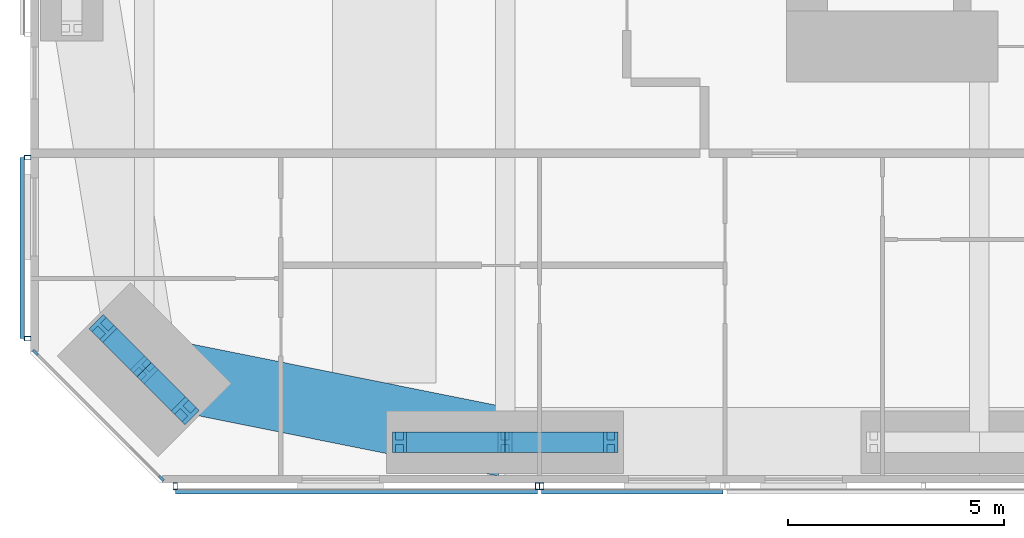
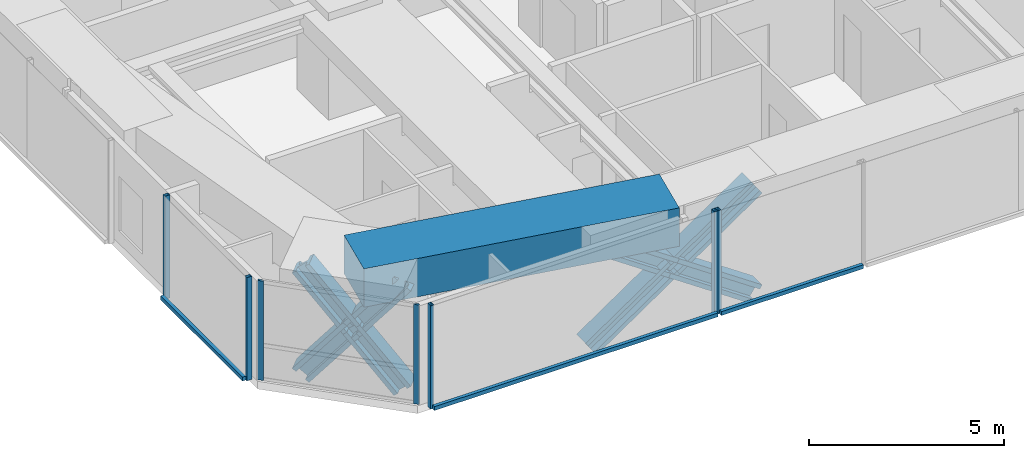
# One storey, part 2 of 24: 18 members, 1 beam, 4 elements without a shape of their own.
"""IFC4 building model written with IfcOpenShell, lengths in metres."""

from ifc_helpers import new_model, si_unit, direction, frame, origin, origin_2d, place, context, subcontext, project, spatial, rectangle, hollow_rectangle, i_section, extrude, material, material_profile, profile_set, type_object, element, aggregate, save


model = new_model("IFC4")

# Units and contexts
model_context = context("Model", 3, precision=1e-05, world=origin(), true_north=direction((0.0, 1.0)))
body_context = subcontext(model_context, "Body", "Model", "MODEL_VIEW")
ifc_project = project(units=[si_unit("LENGTHUNIT", "METRE"), si_unit("AREAUNIT", "SQUARE_METRE"), si_unit("VOLUMEUNIT", "CUBIC_METRE"), si_unit("PLANEANGLEUNIT", "RADIAN"), si_unit("MASSUNIT", "GRAM", prefix="KILO")], contexts=[model_context])

# Site, building, storey
site_placement = place(None, origin())
site = spatial("IfcSite", under=ifc_project, at=site_placement, CompositionType="ELEMENT")
building_placement = place(site_placement, origin())
building = spatial("IfcBuilding", under=site, at=building_placement, Name="Jalousie Tower", CompositionType="ELEMENT")
storey_placement = place(building_placement, frame((0.0, 0.0, 51.14990234375)))
storey = spatial("IfcBuildingStorey", under=building, at=storey_placement, Name="L13", CompositionType="ELEMENT", Elevation=51.14990234375)

# Curtain wall, members
ifc_material_1 = material(Name="Aluminium curtain wall", Category="aluminium")
curtain_wall_type_1 = type_object("IfcCurtainWallType", Name="CORNER WINDOW WALL", PredefinedType="USERDEFINED", material=ifc_material_1)
curtain_wall_1_placement = place(storey_placement, origin())
curtain_wall_1 = element("IfcCurtainWall", 1, at=curtain_wall_1_placement, inside=storey, type_object=curtain_wall_type_1, Name="Corner Window Wall L13 8", ObjectType="CORNER WINDOW WALL", PredefinedType="USERDEFINED")
ifc_material_2 = material(Name="Aluminium mullion", Category="aluminium")
ifc_material_profile_1 = material_profile(ifc_material_2, rectangle(XDim=0.06005859375, YDim=0.14990234375, at=origin_2d()), Name="MULLION 60x150")
ifc_profile_set_1 = profile_set([ifc_material_profile_1], Name="Aluminium mullion")
member_type_1 = type_object("IfcMemberType", Name="CORNER WINDOW WALL MULLION", PredefinedType="MULLION", material=ifc_profile_set_1)
member_1_placement = place(storey_placement, frame((2.108642578125, 3.030029296875, 0.0), z_axis=(0.0, 0.0, 1.0), x_axis=(0.707106781187, 0.707106781187, 0.0)))
member_1 = element("IfcMember", 2, at=member_1_placement, type_object=member_type_1, Name="CW-C mullion 1", PredefinedType="MULLION", context=body_context, shape_type="SweptSolid", body=[
    extrude(rectangle(XDim=0.06005859375, YDim=0.14990234375, at=origin_2d()), origin(), (0.0, 0.0, 1.0), 3.110107421875),
])
member_2_placement = place(storey_placement, frame((5.030029296875, 0.108642578125, 0.0), z_axis=(0.0, 0.0, 1.0), x_axis=(0.707106781187, 0.707106781187, 0.0)))
member_2 = element("IfcMember", 3, at=member_2_placement, type_object=member_type_1, Name="CW-C mullion 2", PredefinedType="MULLION", context=body_context, shape_type="SweptSolid", body=[
    extrude(rectangle(XDim=0.06005859375, YDim=0.14990234375, at=origin_2d()), origin(), (0.0, 0.0, 1.0), 3.110107421875),
])
aggregate(curtain_wall_1, [member_1, member_2])

# Members
ifc_material_3 = material(Name="Steel ASTM A992 Grade 50", Category="steel")
ifc_material_profile_2 = material_profile(ifc_material_3, i_section(OverallWidth=0.472412109375, OverallDepth=0.5791015625, WebThickness=0.094970703125, FlangeThickness=0.1298828125, at=origin_2d()), Name="W14X808")
ifc_profile_set_2 = profile_set([ifc_material_profile_2], Name="Steel ASTM A992 Grade 50")
member_type_2 = type_object("IfcMemberType", Name="PERIMETER BRACE W14X808", PredefinedType="BRACE", material=ifc_profile_set_2)
member_3_placement = place(storey_placement, frame((3.6767578125, 3.5859375, -0.599853515625), z_axis=(0.443718327034, -0.443718327034, 0.778606506849), x_axis=(0.707106781187, 0.707106781187, 0.0)))
element("IfcMember", 4, at=member_3_placement, inside=storey, type_object=member_type_2, Name="Perimeter brace 01 L13 part 1", PredefinedType="BRACE", context=body_context, shape_type="SweptSolid", body=[
    extrude(i_section(OverallWidth=0.472412109375, OverallDepth=0.5791015625, WebThickness=0.094970703125, FlangeThickness=0.1298828125, at=origin_2d()), origin(), (0.0, 0.0, 1.0), 2.1513671875),
])
member_4_placement = place(storey_placement, frame((4.63134765625, 2.63134765625, 1.0751953125), z_axis=(0.443757535686, -0.443757535686, 0.778561814529), x_axis=(0.707106781187, 0.707106781187, 0.0)))
element("IfcMember", 5, at=member_4_placement, inside=storey, type_object=member_type_2, Name="Perimeter brace 01 L13 part 2", PredefinedType="BRACE", context=body_context, shape_type="SweptSolid", body=[
    extrude(i_section(OverallWidth=0.472412109375, OverallDepth=0.5791015625, WebThickness=0.094970703125, FlangeThickness=0.1298828125, at=origin_2d()), origin(), (0.0, 0.0, 1.0), 2.151123046875),
])
member_5_placement = place(storey_placement, frame((5.5859375, 1.6767578125, -0.599853515625), z_axis=(-0.443718327034, 0.443718327034, 0.778606506849), x_axis=(-0.707106781187, -0.707106781187, 0.0)))
element("IfcMember", 6, at=member_5_placement, inside=storey, type_object=member_type_2, Name="Perimeter brace 01 L13 part 3", PredefinedType="BRACE", context=body_context, shape_type="SweptSolid", body=[
    extrude(i_section(OverallWidth=0.472412109375, OverallDepth=0.5791015625, WebThickness=0.094970703125, FlangeThickness=0.1298828125, at=origin_2d()), origin(), (0.0, 0.0, 1.0), 2.1513671875),
])
member_6_placement = place(storey_placement, frame((4.63134765625, 2.63134765625, 1.0751953125), z_axis=(-0.443757535686, 0.443757535686, 0.778561814529), x_axis=(-0.707106781187, -0.707106781187, 0.0)))
element("IfcMember", 7, at=member_6_placement, inside=storey, type_object=member_type_2, Name="Perimeter brace 01 L13 part 4", PredefinedType="BRACE", context=body_context, shape_type="SweptSolid", body=[
    extrude(i_section(OverallWidth=0.472412109375, OverallDepth=0.5791015625, WebThickness=0.094970703125, FlangeThickness=0.1298828125, at=origin_2d()), origin(), (0.0, 0.0, 1.0), 2.151123046875),
])
for number, where, z_axis, x_axis, name in (
    (8, (10.550048828125, 0.949951171875, -0.599853515625), (0.825500916831, 0.0, 0.564400776321), (0.0, 1.0, 0.0), "Perimeter brace 02 L13 part 1"),
    (9, (13.0, 0.949951171875, 1.0751953125), (0.825539243753, 0.0, 0.564344714713), (0.0, 1.0, 0.0), "Perimeter brace 02 L13 part 2"),
    (10, (15.449951171875, 0.949951171875, -0.599853515625), (-0.825500916831, 0.0, 0.564400776321), (0.0, -1.0, 0.0), "Perimeter brace 02 L13 part 3"),
    (11, (13.0, 0.949951171875, 1.0751953125), (-0.825539243753, 0.0, 0.564344714713), (0.0, -1.0, 0.0), "Perimeter brace 02 L13 part 4"),
):
    element("IfcMember", number, at=place(storey_placement, frame(where, z_axis=z_axis, x_axis=x_axis)), inside=storey, type_object=member_type_2, Name=name, PredefinedType="BRACE", context=body_context, shape_type="SweptSolid", body=[
        extrude(i_section(OverallWidth=0.472412109375, OverallDepth=0.5791015625, WebThickness=0.094970703125, FlangeThickness=0.1298828125, at=origin_2d()), origin(), (0.0, 0.0, 1.0), 2.9677734375),
    ])

# Beam
ifc_material_4 = material(Name="Concrete f'c 40 MPa", Category="concrete")
ifc_material_profile_3 = material_profile(ifc_material_4, rectangle(XDim=1.60009765625, YDim=1.199951171875, at=origin_2d()), Name="RC 1600x1200")
ifc_profile_set_3 = profile_set([ifc_material_profile_3], Name="Concrete f'c 40 MPa")
beam_type = type_object("IfcBeamType", Name="RC BEAM 1600x1200", PredefinedType="BEAM", material=ifc_profile_set_3)
beam_placement = place(storey_placement, frame((4.63134765625, 2.63134765625, 2.75), z_axis=(0.980407585444, -0.196979609107, 0.0), x_axis=(0.196979609107, 0.980407585444, 0.0)))
element("IfcBeam", 12, at=beam_placement, inside=storey, type_object=beam_type, Name="Edge band beam 01-02 under L14", PredefinedType="BEAM", context=body_context, shape_type="SweptSolid", body=[
    extrude(rectangle(XDim=1.60009765625, YDim=1.199951171875, at=origin_2d()), origin(), (0.0, 0.0, 1.0), 8.535888671875),
])

# Curtain wall, members
ifc_material_5 = material(Name="Perforated aluminium sheet", Category="aluminium")
curtain_wall_type_2 = type_object("IfcCurtainWallType", Name="SOLAR SCREEN SS-1", PredefinedType="USERDEFINED", material=ifc_material_5)
curtain_wall_2_placement = place(storey_placement, origin())
curtain_wall_2 = element("IfcCurtainWall", 13, at=curtain_wall_2_placement, inside=storey, type_object=curtain_wall_type_2, Name="Solar screen L13", ObjectType="SOLAR SCREEN SS-1", PredefinedType="USERDEFINED")
ifc_material_6 = material(Name="Steel ASTM A500 Grade C", Category="steel")
ifc_material_profile_4 = material_profile(ifc_material_6, hollow_rectangle(XDim=0.1015625, YDim=0.15234375, WallThickness=0.00634765625, at=origin_2d()), Name="HSS6X4X1/4")
ifc_profile_set_4 = profile_set([ifc_material_profile_4], Name="Steel ASTM A500 Grade C")
member_type_3 = type_object("IfcMemberType", Name="SOLAR SCREEN SS-1 MULLION", PredefinedType="MULLION", material=ifc_profile_set_4)
member_7_placement = place(storey_placement, frame((5.351318359375, -0.0712890625, -0.119873046875), z_axis=(0.0, 0.0, 1.0), x_axis=(1.0, 0.0, 0.0)))
member_7 = element("IfcMember", 14, at=member_7_placement, type_object=member_type_3, Name="SS1 post 1", PredefinedType="MULLION", context=body_context, shape_type="SweptSolid", body=[
    extrude(hollow_rectangle(XDim=0.1015625, YDim=0.15234375, WallThickness=0.00634765625, at=origin_2d()), origin(), (0.0, 0.0, 1.0), 3.22998046875),
])
member_8_placement = place(storey_placement, frame((13.75, -0.0712890625, -0.119873046875), z_axis=(0.0, 0.0, 1.0), x_axis=(1.0, 0.0, 0.0)))
member_8 = element("IfcMember", 15, at=member_8_placement, type_object=member_type_3, Name="SS1 post 2", PredefinedType="MULLION", context=body_context, shape_type="SweptSolid", body=[
    extrude(hollow_rectangle(XDim=0.1015625, YDim=0.15234375, WallThickness=0.00634765625, at=origin_2d()), origin(), (0.0, 0.0, 1.0), 3.22998046875),
])

# Curtain wall, member
curtain_wall_3_placement = place(storey_placement, origin())
curtain_wall_3 = element("IfcCurtainWall", 16, at=curtain_wall_3_placement, inside=storey, type_object=curtain_wall_type_2, Name="Solar screen L13", ObjectType="SOLAR SCREEN SS-1", PredefinedType="USERDEFINED")
member_9_placement = place(storey_placement, frame((13.85009765625, -0.0712890625, -0.119873046875), z_axis=(0.0, 0.0, 1.0), x_axis=(1.0, 0.0, 0.0)))
member_9 = element("IfcMember", 17, at=member_9_placement, type_object=member_type_3, Name="SS1 post 1", PredefinedType="MULLION", context=body_context, shape_type="SweptSolid", body=[
    extrude(hollow_rectangle(XDim=0.1015625, YDim=0.15234375, WallThickness=0.00634765625, at=origin_2d()), origin(), (0.0, 0.0, 1.0), 3.22998046875),
])

# Curtain wall, members
curtain_wall_4_placement = place(storey_placement, origin())
curtain_wall_4 = element("IfcCurtainWall", 18, at=curtain_wall_4_placement, inside=storey, type_object=curtain_wall_type_2, Name="Solar screen L13", ObjectType="SOLAR SCREEN SS-1", PredefinedType="USERDEFINED")
member_10_placement = place(storey_placement, frame((1.9287109375, 7.550048828125, -0.119873046875), z_axis=(0.0, 0.0, 1.0), x_axis=(0.0, -1.0, 0.0)))
member_10 = element("IfcMember", 19, at=member_10_placement, type_object=member_type_3, Name="SS1 post 1", PredefinedType="MULLION", context=body_context, shape_type="SweptSolid", body=[
    extrude(hollow_rectangle(XDim=0.1015625, YDim=0.15234375, WallThickness=0.00634765625, at=origin_2d()), origin(), (0.0, 0.0, 1.0), 3.22998046875),
])
member_11_placement = place(storey_placement, frame((1.9287109375, 3.351318359375, -0.119873046875), z_axis=(0.0, 0.0, 1.0), x_axis=(0.0, -1.0, 0.0)))
member_11 = element("IfcMember", 20, at=member_11_placement, type_object=member_type_3, Name="SS1 post 2", PredefinedType="MULLION", context=body_context, shape_type="SweptSolid", body=[
    extrude(hollow_rectangle(XDim=0.1015625, YDim=0.15234375, WallThickness=0.00634765625, at=origin_2d()), origin(), (0.0, 0.0, 1.0), 3.22998046875),
])

# Member
ifc_material_7 = material(Name="Extruded aluminium screen rail", Category="aluminium")
ifc_material_profile_5 = material_profile(ifc_material_7, rectangle(XDim=0.1015625, YDim=0.1201171875, at=origin_2d()), Name="RAIL 102x120")
ifc_profile_set_5 = profile_set([ifc_material_profile_5], Name="Extruded aluminium screen rail")
member_type_4 = type_object("IfcMemberType", Name="SOLAR SCREEN SS-1 TRANSOM", PredefinedType="USERDEFINED", material=ifc_profile_set_5)
member_12_placement = place(storey_placement, frame((5.351318359375, -0.1982421875, -0.059814453125), z_axis=(1.0, 0.0, 0.0), x_axis=(0.0, 1.0, 0.0)))
member_12 = element("IfcMember", 21, at=member_12_placement, type_object=member_type_4, Name="SS1 rail", ObjectType="TRANSOM", PredefinedType="USERDEFINED", context=body_context, shape_type="SweptSolid", body=[
    extrude(rectangle(XDim=0.1015625, YDim=0.1201171875, at=origin_2d()), origin(), (0.0, 0.0, 1.0), 8.398681640625),
])

aggregate(curtain_wall_2, [member_7, member_8, member_12])

member_13_placement = place(storey_placement, frame((13.85009765625, -0.1982421875, -0.059814453125), z_axis=(1.0, 0.0, 0.0), x_axis=(0.0, 1.0, 0.0)))
member_13 = element("IfcMember", 22, at=member_13_placement, type_object=member_type_4, Name="SS1 rail", ObjectType="TRANSOM", PredefinedType="USERDEFINED", context=body_context, shape_type="SweptSolid", body=[
    extrude(rectangle(XDim=0.1015625, YDim=0.1201171875, at=origin_2d()), origin(), (0.0, 0.0, 1.0), 4.199951171875),
])

aggregate(curtain_wall_3, [member_9, member_13])

member_14_placement = place(storey_placement, frame((1.8017578125, 7.550048828125, -0.059814453125), z_axis=(0.0, -1.0, 0.0), x_axis=(1.0, 0.0, 0.0)))
member_14 = element("IfcMember", 23, at=member_14_placement, type_object=member_type_4, Name="SS1 rail", ObjectType="TRANSOM", PredefinedType="USERDEFINED", context=body_context, shape_type="SweptSolid", body=[
    extrude(rectangle(XDim=0.1015625, YDim=0.1201171875, at=origin_2d()), origin(), (0.0, 0.0, 1.0), 4.19873046875),
])

aggregate(curtain_wall_4, [member_10, member_11, member_14])

save(model, "model.ifc")
